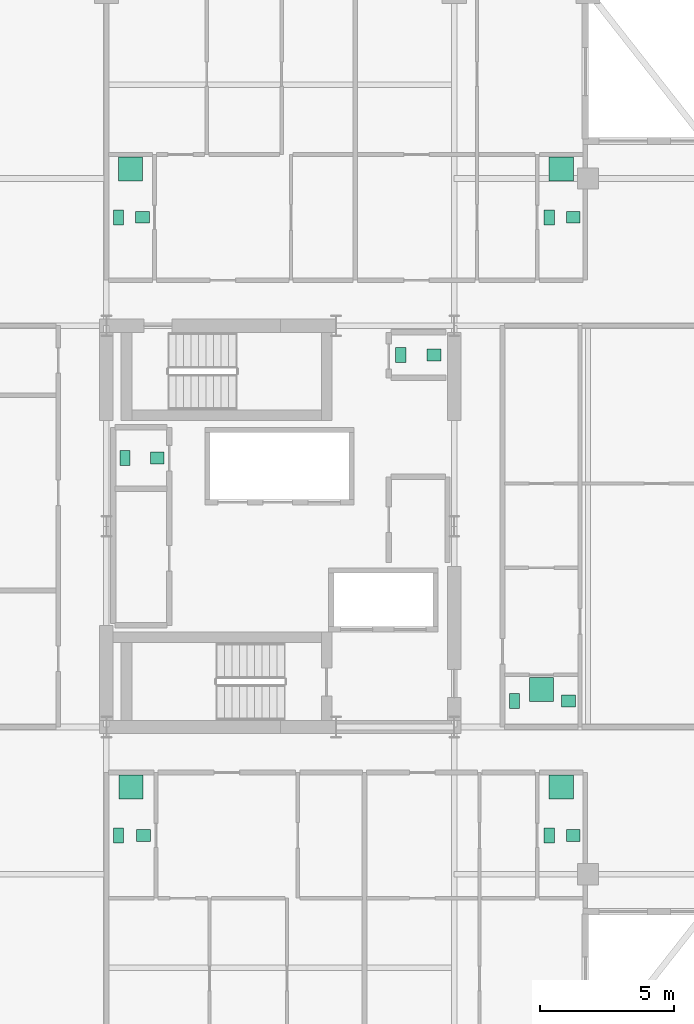
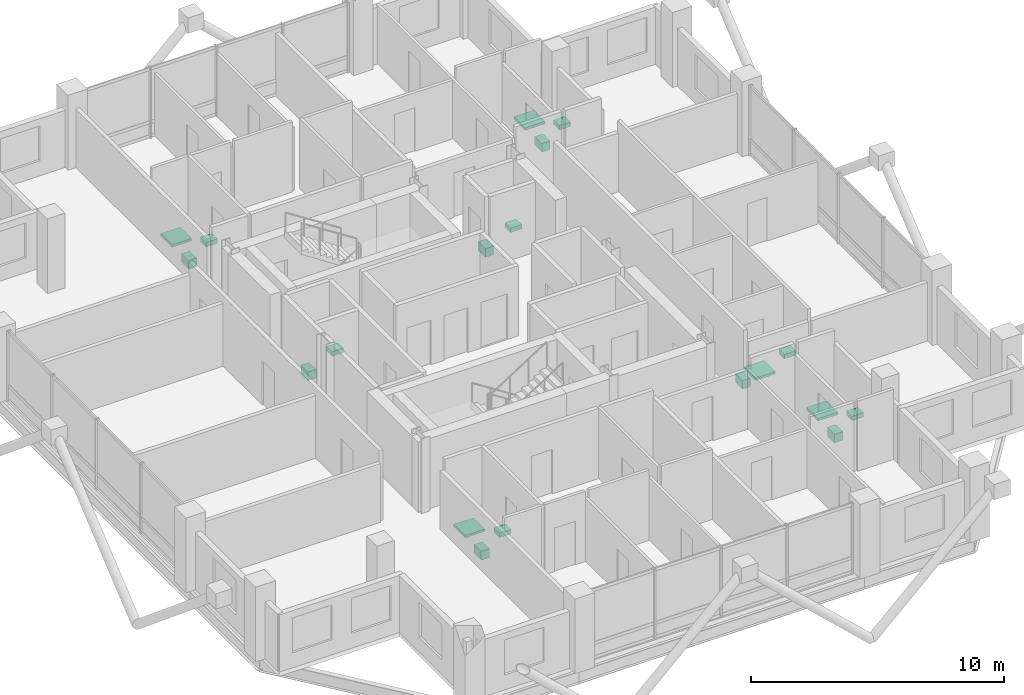
# One storey, part 23 of 23: 19 sanitary terminals.
"""IFC4 building model written with IfcOpenShell, lengths in metres."""

from ifc_helpers import new_model, si_unit, direction, frame, origin, origin_2d, place, context, subcontext, project, spatial, rectangle, extrude, material, type_object, element, save


model = new_model("IFC4")

# Units and contexts
model_context = context("Model", 3, precision=1e-05, world=origin(), true_north=direction((0.0, 1.0)))
body_context = subcontext(model_context, "Body", "Model", "MODEL_VIEW")
ifc_project = project(units=[si_unit("LENGTHUNIT", "METRE"), si_unit("AREAUNIT", "SQUARE_METRE"), si_unit("VOLUMEUNIT", "CUBIC_METRE"), si_unit("PLANEANGLEUNIT", "RADIAN"), si_unit("MASSUNIT", "GRAM", prefix="KILO")], contexts=[model_context])

# Site, building, storey
site_placement = place(None, origin())
site = spatial("IfcSite", under=ifc_project, at=site_placement, CompositionType="ELEMENT")
building_placement = place(site_placement, origin())
building = spatial("IfcBuilding", under=site, at=building_placement, Name="Barlavira Tower and Art Museum", CompositionType="ELEMENT")
storey_placement = place(building_placement, frame((0.0, 0.0, 236.699951171875)))
storey = spatial("IfcBuildingStorey", under=building, at=storey_placement, Name="L61", CompositionType="ELEMENT", Elevation=236.699951171875)

# Sanitary terminals
ifc_material = material(Name="Vitreous glazed ceramic", Category="ceramic")
sanitary_terminal_type_1 = type_object("IfcSanitaryTerminalType", Name="Countertop Ceramic Wash Hand Basin", PredefinedType="WASHHANDBASIN", material=ifc_material)
for number, where, z_axis, x_axis, name in (
    (1, (-4.60009765625, 2.550048828125, 0.740234375), (0.0, 0.0, 1.0), (1.0, 0.0, 0.0), "L61-C-REC1W Wash Basin"),
    (2, (5.75, 6.39990234375, 0.740234375), (0.0, 0.0, 1.0), (1.0, 0.0, 0.0), "L61-C-AWC4 Wash Basin"),
    (3, (-5.110107421875, -11.550048828125, 0.740234375), (0.0, 0.0, 1.0), (1.0, 0.0, 0.0), "L61-S1-BTH1 Wash Basin"),
    (4, (10.949951171875, -11.550048828125, 0.740234375), (0.0, 0.0, 1.0), (1.0, 0.0, 0.0), "L61-S2-BTH1 Wash Basin"),
    (5, (-5.14990234375, 11.550048828125, 0.740234375), (0.0, 0.0, 1.0), (1.0, 0.0, 0.0), "L61-N1-BTH1 Wash Basin"),
    (6, (10.949951171875, 11.550048828125, 0.740234375), (0.0, 0.0, 1.0), (1.0, 0.0, 0.0), "L61-N2-BTH1 Wash Basin"),
    (7, (10.77001953125, -6.52490234375, 0.740234375), (0.0, 0.0, 1.0), (1.0, 0.0, 0.0), "L61-E1-BTH1 Wash Basin"),
):
    element("IfcSanitaryTerminal", number, at=place(storey_placement, frame(where, z_axis=z_axis, x_axis=x_axis)), inside=storey, type_object=sanitary_terminal_type_1, Name=name, PredefinedType="WASHHANDBASIN", context=body_context, shape_type="SweptSolid", body=[
        extrude(rectangle(XDim=0.52001953125, YDim=0.43994140625, at=origin_2d()), origin(), (0.0, 0.0, 1.0), 0.219970703125),
    ])
sanitary_terminal_type_2 = type_object("IfcSanitaryTerminalType", Name="Walk-In Thermostatic Rain Shower Unit", PredefinedType="SHOWER", material=ifc_material)
for number, where, z_axis, x_axis, name in (
    (8, (-5.580078125, -9.75, 0.0), (0.0, 0.0, 1.0), (1.0, 0.0, 0.0), "L61-S1-BTH1 Rain Shower"),
    (9, (10.5, -9.75, 0.0), (0.0, 0.0, 1.0), (1.0, 0.0, 0.0), "L61-S2-BTH1 Rain Shower"),
    (10, (-5.60009765625, 13.35009765625, 0.0), (0.0, 0.0, 1.0), (1.0, 0.0, 0.0), "L61-N1-BTH1 Rain Shower"),
    (11, (10.5, 13.35009765625, 0.0), (0.0, 0.0, 1.0), (1.0, 0.0, 0.0), "L61-N2-BTH1 Rain Shower"),
    (12, (9.760009765625, -6.10009765625, 0.0), (0.0, 0.0, 1.0), (1.0, 0.0, 0.0), "L61-E1-BTH1 Rain Shower"),
):
    element("IfcSanitaryTerminal", number, at=place(storey_placement, frame(where, z_axis=z_axis, x_axis=x_axis)), inside=storey, type_object=sanitary_terminal_type_2, Name=name, PredefinedType="SHOWER", context=body_context, shape_type="SweptSolid", body=[
        extrude(rectangle(XDim=0.89990234375, YDim=0.89990234375, at=origin_2d()), origin(), (0.0, 0.0, 1.0), 0.1201171875),
    ])
sanitary_terminal_type_3 = type_object("IfcSanitaryTerminalType", Name="Wall-Hung Dual-Flush Vitreous WC Pan", PredefinedType="TOILETPAN", material=ifc_material)
for number, where, z_axis, x_axis, name in (
    (13, (-5.800048828125, 2.550048828125, 0.0), (0.0, 0.0, 1.0), (1.0, 0.0, 0.0), "L61-C-REC1W WC Pan"),
    (14, (4.5, 6.39990234375, 0.0), (0.0, 0.0, 1.0), (1.0, 0.0, 0.0), "L61-C-AWC4 WC Pan"),
    (15, (-6.050048828125, -11.550048828125, 0.0), (0.0, 0.0, 1.0), (1.0, 0.0, 0.0), "L61-S1-BTH1 WC Pan"),
    (16, (10.050048828125, -11.550048828125, 0.0), (0.0, 0.0, 1.0), (1.0, 0.0, 0.0), "L61-S2-BTH1 WC Pan"),
    (17, (-6.050048828125, 11.550048828125, 0.0), (0.0, 0.0, 1.0), (1.0, 0.0, 0.0), "L61-N1-BTH1 WC Pan"),
    (18, (10.050048828125, 11.550048828125, 0.0), (0.0, 0.0, 1.0), (1.0, 0.0, 0.0), "L61-N2-BTH1 WC Pan"),
    (19, (8.75, -6.52490234375, 0.0), (0.0, 0.0, 1.0), (1.0, 0.0, 0.0), "L61-E1-BTH1 WC Pan"),
):
    element("IfcSanitaryTerminal", number, at=place(storey_placement, frame(where, z_axis=z_axis, x_axis=x_axis)), inside=storey, type_object=sanitary_terminal_type_3, Name=name, PredefinedType="TOILETPAN", context=body_context, shape_type="SweptSolid", body=[
        extrude(rectangle(XDim=0.3798828125, YDim=0.56005859375, at=origin_2d()), origin(), (0.0, 0.0, 1.0), 0.419921875),
    ])

save(model, "model.ifc")
